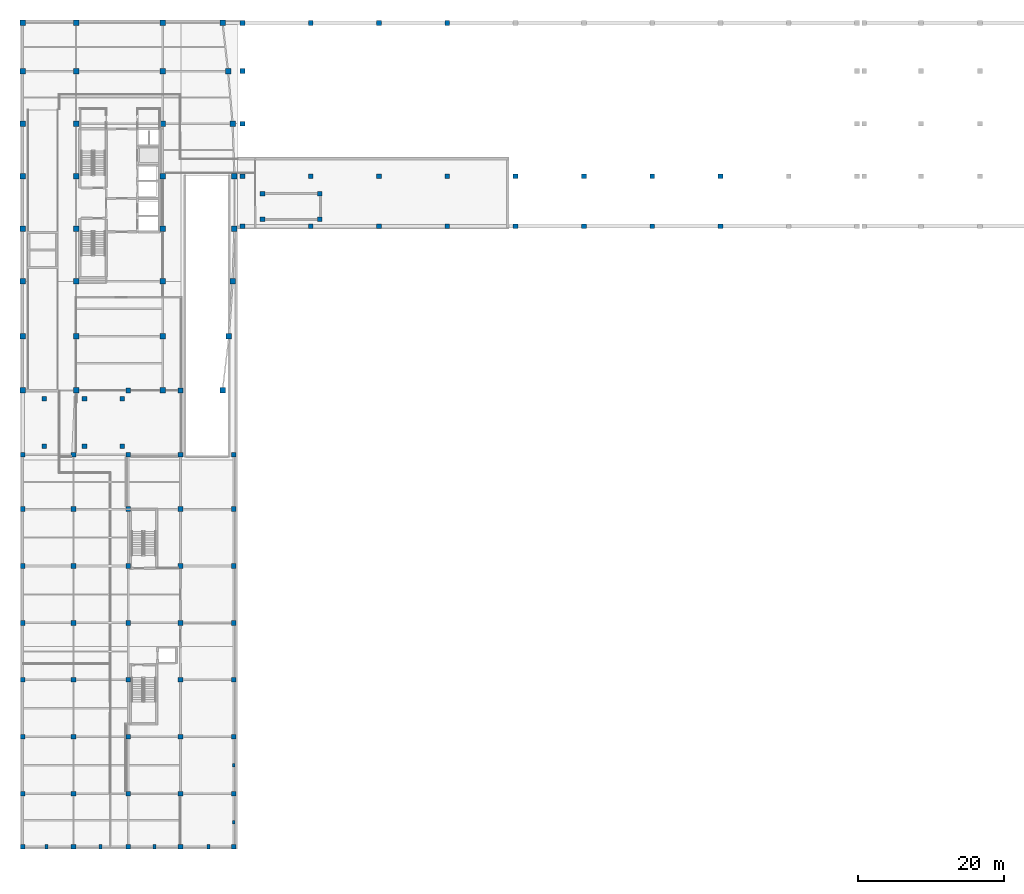
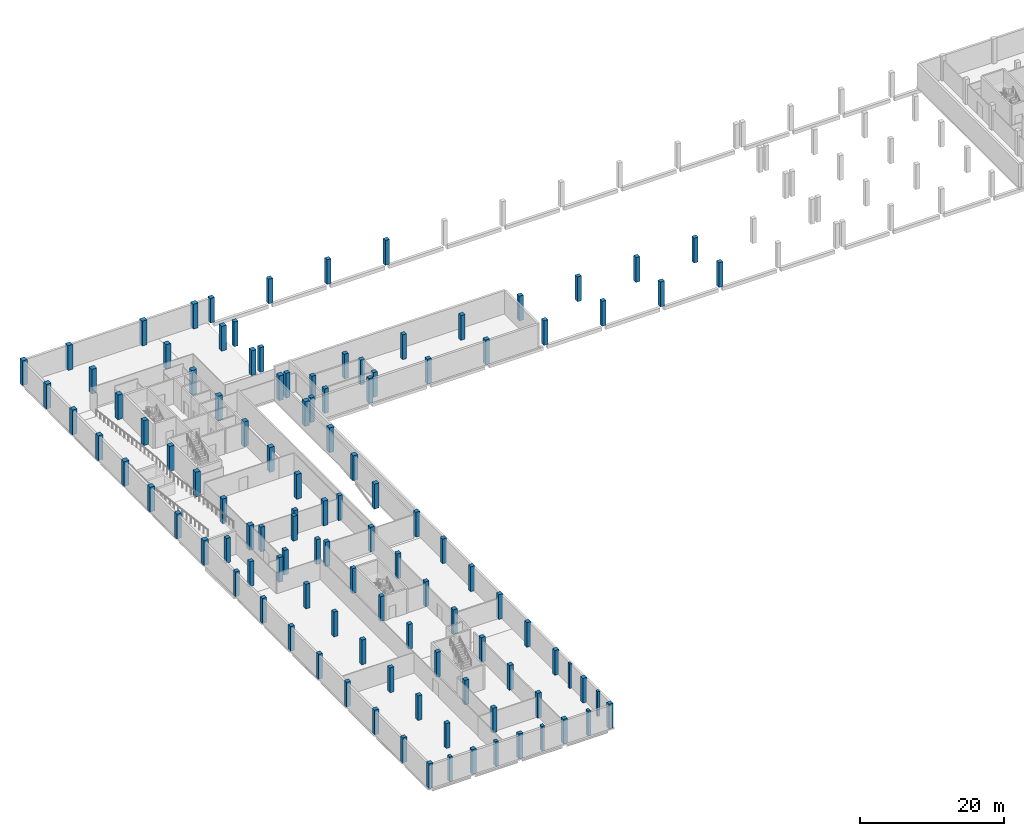
# One storey, part 1 of 15: 112 columns.
"""IFC4 building model written with IfcOpenShell, lengths in metres."""

from ifc_helpers import new_model, si_unit, direction, frame, origin, origin_2d, place, context, subcontext, project, spatial, rectangle, extrude, material, material_profile, profile_set, type_object, element, save


model = new_model("IFC4")

# Units and contexts
model_context = context("Model", 3, precision=1e-05, world=origin(), true_north=direction((0.0, 1.0)))
body_context = subcontext(model_context, "Body", "Model", "MODEL_VIEW")
ifc_project = project(units=[si_unit("LENGTHUNIT", "METRE"), si_unit("AREAUNIT", "SQUARE_METRE"), si_unit("VOLUMEUNIT", "CUBIC_METRE"), si_unit("PLANEANGLEUNIT", "RADIAN"), si_unit("MASSUNIT", "GRAM", prefix="KILO")], contexts=[model_context])

# Site, building, storey
site_placement = place(None, origin())
site = spatial("IfcSite", under=ifc_project, at=site_placement, CompositionType="ELEMENT")
building_placement = place(site_placement, origin())
building = spatial("IfcBuilding", under=site, at=building_placement, Name="Quillay Park Conservatory", CompositionType="ELEMENT")
storey_placement = place(building_placement, frame((0.0, 0.0, -4.199951171875)))
storey = spatial("IfcBuildingStorey", under=building, at=storey_placement, Name="B1", CompositionType="ELEMENT", Elevation=-4.199951171875)

# Columns
ifc_material_1 = material(Name="Concrete C35/45 (NCh170 Concrete C35/45)", Category="concrete")
ifc_material_profile_1 = material_profile(ifc_material_1, rectangle(XDim=0.35009765625, YDim=0.5, at=origin_2d()), Name="RC500x350")
ifc_profile_set_1 = profile_set([ifc_material_profile_1], Name="Concrete C35/45 (NCh170 Concrete C35/45)")
column_type_1 = type_object("IfcColumnType", Name="ENGAGED CONCRETE PILASTER 500 X350", PredefinedType="PILASTER", material=ifc_profile_set_1)
for number, where, z_axis, x_axis, name in (
    (1, (29.449951171875, 3.89990234375, 0.0), (0.0, 0.0, 1.0), (1.0, 0.0, 0.0), "B1 column PIL-V3-B1-4"),
    (2, (29.449951171875, 11.699951171875, 0.0), (0.0, 0.0, 1.0), (1.0, 0.0, 0.0), "B1 column PIL-V3-B1-5"),
):
    element("IfcColumn", number, at=place(storey_placement, frame(where, z_axis=z_axis, x_axis=x_axis)), inside=storey, type_object=column_type_1, Name=name, PredefinedType="PILASTER", context=body_context, shape_type="SweptSolid", body=[
        extrude(rectangle(XDim=0.35009765625, YDim=0.5, at=origin_2d()), origin(), (0.0, 0.0, 1.0), 4.199951171875),
    ])
ifc_material_2 = material(Name="Concrete C35/45 (NCh170 Concrete C35/45)", Category="concrete")
ifc_material_profile_2 = material_profile(ifc_material_2, rectangle(XDim=0.449951171875, YDim=0.60009765625, at=origin_2d()), Name="RC600x450")
ifc_profile_set_2 = profile_set([ifc_material_profile_2], Name="Concrete C35/45 (NCh170 Concrete C35/45)")
column_type_2 = type_object("IfcColumnType", Name="ENGAGED CONCRETE PILASTER 600 X450", PredefinedType="PILASTER", material=ifc_profile_set_2)
for number, where, z_axis, x_axis, name in (
    (3, (3.800048828125, 0.550048828125, 0.0), (0.0, 0.0, 1.0), (1.0, 0.0, 0.0), "B1 column PIL-V3-B1-0"),
    (4, (11.199951171875, 0.550048828125, 0.0), (0.0, 0.0, 1.0), (1.0, 0.0, 0.0), "B1 column PIL-V3-B1-1"),
    (5, (18.60009765625, 0.550048828125, 0.0), (0.0, 0.0, 1.0), (1.0, 0.0, 0.0), "B1 column PIL-V3-B1-2"),
    (6, (26.0, 0.550048828125, 0.0), (0.0, 0.0, 1.0), (1.0, 0.0, 0.0), "B1 column PIL-V3-B1-3"),
):
    element("IfcColumn", number, at=place(storey_placement, frame(where, z_axis=z_axis, x_axis=x_axis)), inside=storey, type_object=column_type_2, Name=name, PredefinedType="PILASTER", context=body_context, shape_type="SweptSolid", body=[
        extrude(rectangle(XDim=0.449951171875, YDim=0.60009765625, at=origin_2d()), origin(), (0.0, 0.0, 1.0), 4.199951171875),
    ])
ifc_material_3 = material(Name="Concrete C40/50 (NCh170 Concrete C40/50)", Category="concrete")
ifc_material_profile_3 = material_profile(ifc_material_3, rectangle(XDim=0.64990234375, YDim=0.64990234375, at=origin_2d()), Name="RC650x650")
ifc_profile_set_3 = profile_set([ifc_material_profile_3], Name="Concrete C40/50 (NCh170 Concrete C40/50)")
column_type_3 = type_object("IfcColumnType", Name="REINFORCED CONCRETE COLUMN 650", PredefinedType="COLUMN", material=ifc_profile_set_3)
for number, where, z_axis, x_axis, name in (
    (7, (0.550048828125, 0.550048828125, 0.0), (0.0, 0.0, 1.0), (1.0, 0.0, 0.0), "B1 column COL-V3-B1-0-0"),
    (8, (0.550048828125, 7.800048828125, 0.0), (0.0, 0.0, 1.0), (1.0, 0.0, 0.0), "B1 column COL-V3-B1-0-1"),
    (9, (0.550048828125, 15.60009765625, 0.0), (0.0, 0.0, 1.0), (1.0, 0.0, 0.0), "B1 column COL-V3-B1-0-2"),
    (10, (0.550048828125, 23.39990234375, 0.0), (0.0, 0.0, 1.0), (1.0, 0.0, 0.0), "B1 column COL-V3-B1-0-3"),
    (11, (0.550048828125, 31.199951171875, 0.0), (0.0, 0.0, 1.0), (1.0, 0.0, 0.0), "B1 column COL-V3-B1-0-4"),
    (12, (0.550048828125, 39.0, 0.0), (0.0, 0.0, 1.0), (1.0, 0.0, 0.0), "B1 column COL-V3-B1-0-5"),
    (13, (0.550048828125, 46.800048828125, 0.0), (0.0, 0.0, 1.0), (1.0, 0.0, 0.0), "B1 column COL-V3-B1-0-6"),
    (14, (0.550048828125, 54.25, 0.0), (0.0, 0.0, 1.0), (1.0, 0.0, 0.0), "B1 column COL-V3-B1-0-7"),
    (15, (7.5, 0.550048828125, 0.0), (0.0, 0.0, 1.0), (1.0, 0.0, 0.0), "B1 column COL-V3-B1-1-0"),
    (16, (7.5, 7.800048828125, 0.0), (0.0, 0.0, 1.0), (1.0, 0.0, 0.0), "B1 column COL-V3-B1-1-1"),
    (17, (7.5, 15.60009765625, 0.0), (0.0, 0.0, 1.0), (1.0, 0.0, 0.0), "B1 column COL-V3-B1-1-2"),
    (18, (7.5, 23.39990234375, 0.0), (0.0, 0.0, 1.0), (1.0, 0.0, 0.0), "B1 column COL-V3-B1-1-3"),
    (19, (7.5, 31.199951171875, 0.0), (0.0, 0.0, 1.0), (1.0, 0.0, 0.0), "B1 column COL-V3-B1-1-4"),
    (20, (7.5, 39.0, 0.0), (0.0, 0.0, 1.0), (1.0, 0.0, 0.0), "B1 column COL-V3-B1-1-5"),
    (21, (7.5, 46.800048828125, 0.0), (0.0, 0.0, 1.0), (1.0, 0.0, 0.0), "B1 column COL-V3-B1-1-6"),
    (22, (7.5, 54.25, 0.0), (0.0, 0.0, 1.0), (1.0, 0.0, 0.0), "B1 column COL-V3-B1-1-7"),
    (23, (15.0, 0.550048828125, 0.0), (0.0, 0.0, 1.0), (1.0, 0.0, 0.0), "B1 column COL-V3-B1-2-0"),
    (24, (15.0, 7.800048828125, 0.0), (0.0, 0.0, 1.0), (1.0, 0.0, 0.0), "B1 column COL-V3-B1-2-1"),
    (25, (15.0, 15.60009765625, 0.0), (0.0, 0.0, 1.0), (1.0, 0.0, 0.0), "B1 column COL-V3-B1-2-2"),
    (26, (15.0, 23.39990234375, 0.0), (0.0, 0.0, 1.0), (1.0, 0.0, 0.0), "B1 column COL-V3-B1-2-3"),
    (27, (15.0, 31.199951171875, 0.0), (0.0, 0.0, 1.0), (1.0, 0.0, 0.0), "B1 column COL-V3-B1-2-4"),
    (28, (15.0, 39.0, 0.0), (0.0, 0.0, 1.0), (1.0, 0.0, 0.0), "B1 column COL-V3-B1-2-5"),
    (29, (15.0, 46.800048828125, 0.0), (0.0, 0.0, 1.0), (1.0, 0.0, 0.0), "B1 column COL-V3-B1-2-6"),
    (30, (15.0, 54.25, 0.0), (0.0, 0.0, 1.0), (1.0, 0.0, 0.0), "B1 column COL-V3-B1-2-7"),
    (31, (22.14990234375, 0.550048828125, 0.0), (0.0, 0.0, 1.0), (1.0, 0.0, 0.0), "B1 column COL-V3-B1-3-0"),
    (32, (22.14990234375, 7.800048828125, 0.0), (0.0, 0.0, 1.0), (1.0, 0.0, 0.0), "B1 column COL-V3-B1-3-1"),
    (33, (22.14990234375, 15.60009765625, 0.0), (0.0, 0.0, 1.0), (1.0, 0.0, 0.0), "B1 column COL-V3-B1-3-2"),
    (34, (22.14990234375, 23.39990234375, 0.0), (0.0, 0.0, 1.0), (1.0, 0.0, 0.0), "B1 column COL-V3-B1-3-3"),
    (35, (22.14990234375, 31.199951171875, 0.0), (0.0, 0.0, 1.0), (1.0, 0.0, 0.0), "B1 column COL-V3-B1-3-4"),
    (36, (22.14990234375, 39.0, 0.0), (0.0, 0.0, 1.0), (1.0, 0.0, 0.0), "B1 column COL-V3-B1-3-5"),
    (37, (22.14990234375, 46.800048828125, 0.0), (0.0, 0.0, 1.0), (1.0, 0.0, 0.0), "B1 column COL-V3-B1-3-6"),
    (38, (22.14990234375, 54.25, 0.0), (0.0, 0.0, 1.0), (1.0, 0.0, 0.0), "B1 column COL-V3-B1-3-7"),
    (39, (29.449951171875, 0.550048828125, 0.0), (0.0, 0.0, 1.0), (1.0, 0.0, 0.0), "B1 column COL-V3-B1-4-0"),
    (40, (29.449951171875, 7.800048828125, 0.0), (0.0, 0.0, 1.0), (1.0, 0.0, 0.0), "B1 column COL-V3-B1-4-1"),
    (41, (29.449951171875, 15.60009765625, 0.0), (0.0, 0.0, 1.0), (1.0, 0.0, 0.0), "B1 column COL-V3-B1-4-2"),
    (42, (29.449951171875, 23.39990234375, 0.0), (0.0, 0.0, 1.0), (1.0, 0.0, 0.0), "B1 column COL-V3-B1-4-3"),
    (43, (29.449951171875, 31.199951171875, 0.0), (0.0, 0.0, 1.0), (1.0, 0.0, 0.0), "B1 column COL-V3-B1-4-4"),
    (44, (29.449951171875, 39.0, 0.0), (0.0, 0.0, 1.0), (1.0, 0.0, 0.0), "B1 column COL-V3-B1-4-5"),
    (45, (29.449951171875, 46.800048828125, 0.0), (0.0, 0.0, 1.0), (1.0, 0.0, 0.0), "B1 column COL-V3-B1-4-6"),
    (46, (29.449951171875, 54.25, 0.0), (0.0, 0.0, 1.0), (1.0, 0.0, 0.0), "B1 column COL-V3-B1-4-7"),
    (47, (30.64990234375, 85.550048828125, 0.0), (0.0, 0.0, 1.0), (1.0, 0.0, 0.0), "B1 column COL-V1-B1-0-0"),
    (48, (30.64990234375, 92.39990234375, 0.0), (0.0, 0.0, 1.0), (1.0, 0.0, 0.0), "B1 column COL-V1-B1-0-1"),
    (49, (30.64990234375, 113.39990234375, 0.0), (0.0, 0.0, 1.0), (1.0, 0.0, 0.0), "B1 column COL-V1-B1-0-2"),
    (50, (40.005615234375, 85.550048828125, 0.0), (0.0, 0.0, 1.0), (1.0, 0.0, 0.0), "B1 column COL-V1-B1-1-0"),
    (51, (40.005615234375, 92.39990234375, 0.0), (0.0, 0.0, 1.0), (1.0, 0.0, 0.0), "B1 column COL-V1-B1-1-1"),
    (52, (40.005615234375, 113.39990234375, 0.0), (0.0, 0.0, 1.0), (1.0, 0.0, 0.0), "B1 column COL-V1-B1-1-2"),
    (53, (49.361083984375, 85.550048828125, 0.0), (0.0, 0.0, 1.0), (1.0, 0.0, 0.0), "B1 column COL-V1-B1-2-0"),
    (54, (49.361083984375, 92.39990234375, 0.0), (0.0, 0.0, 1.0), (1.0, 0.0, 0.0), "B1 column COL-V1-B1-2-1"),
    (55, (49.361083984375, 113.39990234375, 0.0), (0.0, 0.0, 1.0), (1.0, 0.0, 0.0), "B1 column COL-V1-B1-2-2"),
    (56, (58.716796875, 85.550048828125, 0.0), (0.0, 0.0, 1.0), (1.0, 0.0, 0.0), "B1 column COL-V1-B1-3-0"),
    (57, (58.716796875, 92.39990234375, 0.0), (0.0, 0.0, 1.0), (1.0, 0.0, 0.0), "B1 column COL-V1-B1-3-1"),
    (58, (58.716796875, 113.39990234375, 0.0), (0.0, 0.0, 1.0), (1.0, 0.0, 0.0), "B1 column COL-V1-B1-3-2"),
    (59, (68.072265625, 85.550048828125, 0.0), (0.0, 0.0, 1.0), (1.0, 0.0, 0.0), "B1 column COL-V1-B1-4-0"),
    (60, (68.072265625, 92.39990234375, 0.0), (0.0, 0.0, 1.0), (1.0, 0.0, 0.0), "B1 column COL-V1-B1-4-1"),
    (61, (77.427734375, 85.550048828125, 0.0), (0.0, 0.0, 1.0), (1.0, 0.0, 0.0), "B1 column COL-V1-B1-5-0"),
    (62, (77.427734375, 92.39990234375, 0.0), (0.0, 0.0, 1.0), (1.0, 0.0, 0.0), "B1 column COL-V1-B1-5-1"),
    (63, (86.783203125, 85.550048828125, 0.0), (0.0, 0.0, 1.0), (1.0, 0.0, 0.0), "B1 column COL-V1-B1-6-0"),
    (64, (86.783203125, 92.39990234375, 0.0), (0.0, 0.0, 1.0), (1.0, 0.0, 0.0), "B1 column COL-V1-B1-6-1"),
    (65, (96.138916015625, 85.550048828125, 0.0), (0.0, 0.0, 1.0), (1.0, 0.0, 0.0), "B1 column COL-V1-B1-7-0"),
    (66, (96.138916015625, 92.39990234375, 0.0), (0.0, 0.0, 1.0), (1.0, 0.0, 0.0), "B1 column COL-V1-B1-7-1"),
    (67, (30.64990234375, 99.60009765625, 0.0), (0.0, 0.0, 1.0), (1.0, 0.0, 0.0), "B1 column COL-V1E-B1-W-0"),
    (68, (30.64990234375, 106.800048828125, 0.0), (0.0, 0.0, 1.0), (1.0, 0.0, 0.0), "B1 column COL-V1E-B1-W-1"),
    (69, (33.39990234375, 86.5, 0.0), (0.0, 0.0, 1.0), (1.0, 0.0, 0.0), "B1 column COL-STC1-B1-0-0"),
    (70, (33.39990234375, 90.0, 0.0), (0.0, 0.0, 1.0), (1.0, 0.0, 0.0), "B1 column COL-STC1-B1-0-1"),
    (71, (41.25, 86.5, 0.0), (0.0, 0.0, 1.0), (1.0, 0.0, 0.0), "B1 column COL-STC1-B1-1-0"),
    (72, (41.25, 90.0, 0.0), (0.0, 0.0, 1.0), (1.0, 0.0, 0.0), "B1 column COL-STC1-B1-1-1"),
    (73, (15.0, 63.050048828125, 0.0), (0.0, 0.0, 1.0), (1.0, 0.0, 0.0), "B1 column COL-LB1N-B1-0"),
    (74, (22.14990234375, 63.050048828125, 0.0), (0.0, 0.0, 1.0), (1.0, 0.0, 0.0), "B1 column COL-LB1N-B1-1"),
    (75, (3.5, 55.39990234375, 0.0), (0.0, 0.0, 1.0), (1.0, 0.0, 0.0), "B1 column COL-EC1-B1-0"),
    (76, (9.0, 55.39990234375, 0.0), (0.0, 0.0, 1.0), (1.0, 0.0, 0.0), "B1 column COL-EC1-B1-1"),
    (77, (14.199951171875, 55.39990234375, 0.0), (0.0, 0.0, 1.0), (1.0, 0.0, 0.0), "B1 column COL-EC1-B1-2"),
    (78, (3.5, 61.89990234375, 0.0), (0.0, 0.0, 1.0), (1.0, 0.0, 0.0), "B1 column COL-EC1-B1-3"),
    (79, (9.0, 61.89990234375, 0.0), (0.0, 0.0, 1.0), (1.0, 0.0, 0.0), "B1 column COL-EC1-B1-4"),
    (80, (14.199951171875, 61.89990234375, 0.0), (0.0, 0.0, 1.0), (1.0, 0.0, 0.0), "B1 column COL-EC1-B1-5"),
):
    element("IfcColumn", number, at=place(storey_placement, frame(where, z_axis=z_axis, x_axis=x_axis)), inside=storey, type_object=column_type_3, Name=name, PredefinedType="COLUMN", context=body_context, shape_type="SweptSolid", body=[
        extrude(rectangle(XDim=0.64990234375, YDim=0.64990234375, at=origin_2d()), origin(), (0.0, 0.0, 1.0), 4.199951171875),
    ])
ifc_material_4 = material(Name="Concrete C40/50 (NCh170 Concrete C40/50)", Category="concrete")
ifc_material_profile_4 = material_profile(ifc_material_4, rectangle(XDim=0.75, YDim=0.75, at=origin_2d()), Name="RC750x750")
ifc_profile_set_4 = profile_set([ifc_material_profile_4], Name="Concrete C40/50 (NCh170 Concrete C40/50)")
column_type_4 = type_object("IfcColumnType", Name="REINFORCED CONCRETE COLUMN 750", PredefinedType="COLUMN", material=ifc_profile_set_4)
for number, where, z_axis, x_axis, name in (
    (81, (0.550048828125, 63.050048828125, 0.0), (0.0, 0.0, 1.0), (1.0, 0.0, 0.0), "B1 column COL-V4-B1-0-0"),
    (82, (7.85009765625, 63.050048828125, 0.0), (0.0, 0.0, 1.0), (1.0, 0.0, 0.0), "B1 column COL-V4-B1-0-1"),
    (83, (19.75, 63.050048828125, 0.0), (0.0, 0.0, 1.0), (1.0, 0.0, 0.0), "B1 column COL-V4-B1-0-2"),
    (84, (27.925048828125, 63.050048828125, 0.0), (0.0, 0.0, 1.0), (1.0, 0.0, 0.0), "B1 column COL-V4-B1-0-3"),
    (85, (0.550048828125, 70.5, 0.0), (0.0, 0.0, 1.0), (1.0, 0.0, 0.0), "B1 column COL-V4-B1-1-0"),
    (86, (7.85009765625, 70.5, 0.0), (0.0, 0.0, 1.0), (1.0, 0.0, 0.0), "B1 column COL-V4-B1-1-1"),
    (87, (19.75, 70.5, 0.0), (0.0, 0.0, 1.0), (1.0, 0.0, 0.0), "B1 column COL-V4-B1-1-2"),
    (88, (28.800048828125, 70.5, 0.0), (0.0, 0.0, 1.0), (1.0, 0.0, 0.0), "B1 column COL-V4-B1-1-3"),
    (89, (0.550048828125, 78.0, 0.0), (0.0, 0.0, 1.0), (1.0, 0.0, 0.0), "B1 column COL-V4-B1-2-0"),
    (90, (7.85009765625, 78.0, 0.0), (0.0, 0.0, 1.0), (1.0, 0.0, 0.0), "B1 column COL-V4-B1-2-1"),
    (91, (19.75, 78.0, 0.0), (0.0, 0.0, 1.0), (1.0, 0.0, 0.0), "B1 column COL-V4-B1-2-2"),
    (92, (29.300048828125, 78.0, 0.0), (0.0, 0.0, 1.0), (1.0, 0.0, 0.0), "B1 column COL-V4-B1-2-3"),
    (93, (0.550048828125, 85.199951171875, 0.0), (0.0, 0.0, 1.0), (1.0, 0.0, 0.0), "B1 column COL-V4-B1-3-0"),
    (94, (7.85009765625, 85.199951171875, 0.0), (0.0, 0.0, 1.0), (1.0, 0.0, 0.0), "B1 column COL-V4-B1-3-1"),
    (95, (19.75, 85.199951171875, 0.0), (0.0, 0.0, 1.0), (1.0, 0.0, 0.0), "B1 column COL-V4-B1-3-2"),
    (96, (29.550048828125, 85.199951171875, 0.0), (0.0, 0.0, 1.0), (1.0, 0.0, 0.0), "B1 column COL-V4-B1-3-3"),
    (97, (0.550048828125, 92.39990234375, 0.0), (0.0, 0.0, 1.0), (1.0, 0.0, 0.0), "B1 column COL-V4-B1-4-0"),
    (98, (7.85009765625, 92.39990234375, 0.0), (0.0, 0.0, 1.0), (1.0, 0.0, 0.0), "B1 column COL-V4-B1-4-1"),
    (99, (19.75, 92.39990234375, 0.0), (0.0, 0.0, 1.0), (1.0, 0.0, 0.0), "B1 column COL-V4-B1-4-2"),
    (100, (29.550048828125, 92.39990234375, 0.0), (0.0, 0.0, 1.0), (1.0, 0.0, 0.0), "B1 column COL-V4-B1-4-3"),
    (101, (0.550048828125, 99.60009765625, 0.0), (0.0, 0.0, 1.0), (1.0, 0.0, 0.0), "B1 column COL-V4-B1-5-0"),
    (102, (7.85009765625, 99.60009765625, 0.0), (0.0, 0.0, 1.0), (1.0, 0.0, 0.0), "B1 column COL-V4-B1-5-1"),
    (103, (19.75, 99.60009765625, 0.0), (0.0, 0.0, 1.0), (1.0, 0.0, 0.0), "B1 column COL-V4-B1-5-2"),
    (104, (29.300048828125, 99.60009765625, 0.0), (0.0, 0.0, 1.0), (1.0, 0.0, 0.0), "B1 column COL-V4-B1-5-3"),
    (105, (0.550048828125, 106.800048828125, 0.0), (0.0, 0.0, 1.0), (1.0, 0.0, 0.0), "B1 column COL-V4-B1-6-0"),
    (106, (7.85009765625, 106.800048828125, 0.0), (0.0, 0.0, 1.0), (1.0, 0.0, 0.0), "B1 column COL-V4-B1-6-1"),
    (107, (19.75, 106.800048828125, 0.0), (0.0, 0.0, 1.0), (1.0, 0.0, 0.0), "B1 column COL-V4-B1-6-2"),
    (108, (28.675048828125, 106.800048828125, 0.0), (0.0, 0.0, 1.0), (1.0, 0.0, 0.0), "B1 column COL-V4-B1-6-3"),
    (109, (0.550048828125, 113.39990234375, 0.0), (0.0, 0.0, 1.0), (1.0, 0.0, 0.0), "B1 column COL-V4-B1-7-0"),
    (110, (7.85009765625, 113.39990234375, 0.0), (0.0, 0.0, 1.0), (1.0, 0.0, 0.0), "B1 column COL-V4-B1-7-1"),
    (111, (19.75, 113.39990234375, 0.0), (0.0, 0.0, 1.0), (1.0, 0.0, 0.0), "B1 column COL-V4-B1-7-2"),
    (112, (27.925048828125, 113.39990234375, 0.0), (0.0, 0.0, 1.0), (1.0, 0.0, 0.0), "B1 column COL-V4-B1-7-3"),
):
    element("IfcColumn", number, at=place(storey_placement, frame(where, z_axis=z_axis, x_axis=x_axis)), inside=storey, type_object=column_type_4, Name=name, PredefinedType="COLUMN", context=body_context, shape_type="SweptSolid", body=[
        extrude(rectangle(XDim=0.75, YDim=0.75, at=origin_2d()), origin(), (0.0, 0.0, 1.0), 4.199951171875),
    ])

save(model, "model.ifc")
